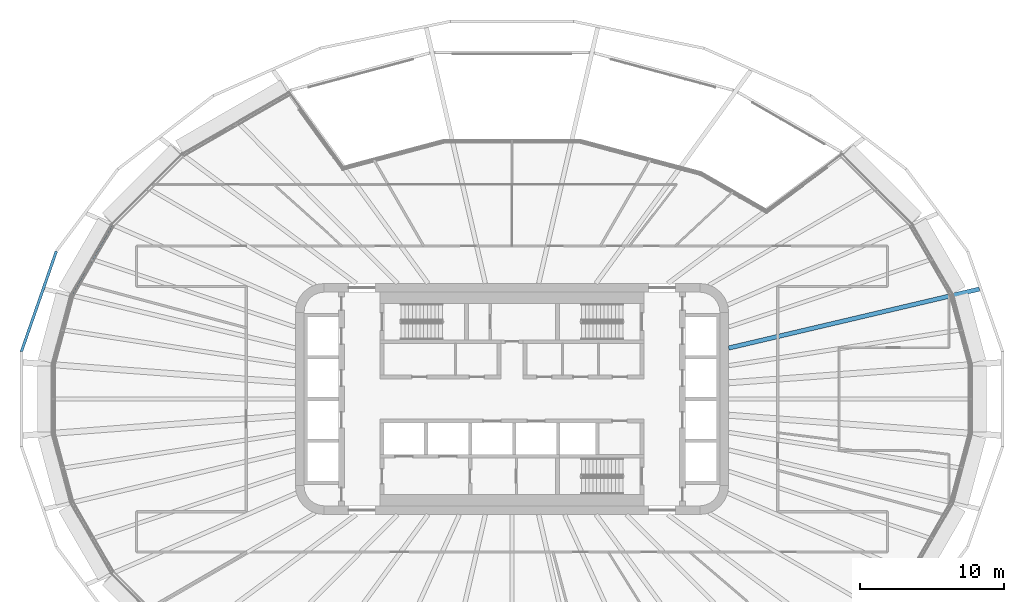
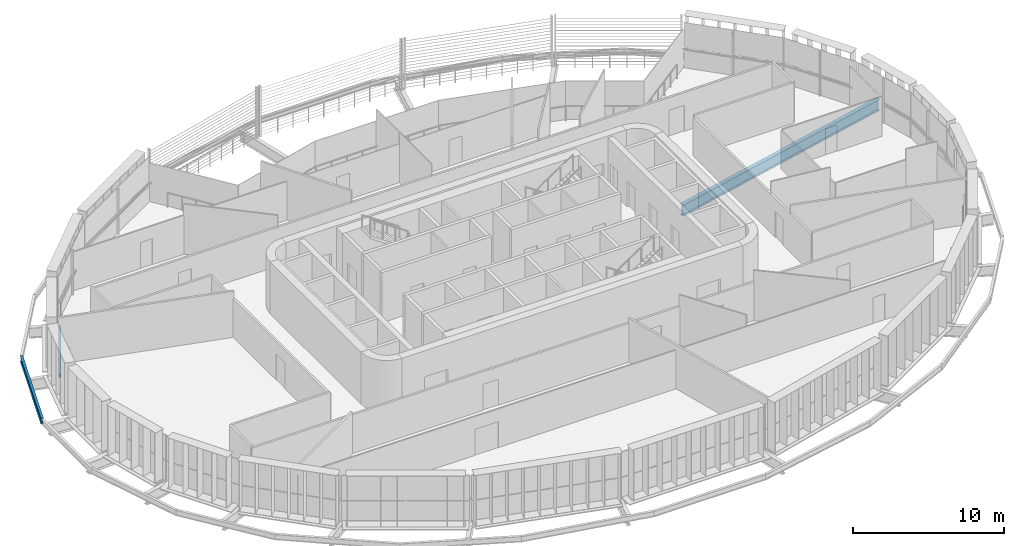
# One storey, part 6 of 24: 3 beams.
"""IFC4 building model written with IfcOpenShell, lengths in metres."""

from ifc_helpers import new_model, si_unit, direction, frame, origin, origin_2d, place, context, subcontext, project, spatial, i_section, extrude, material, material_profile, profile_set, type_object, element, save


model = new_model("IFC4")

# Units and contexts
model_context = context("Model", 3, precision=1e-05, world=origin(), true_north=direction((0.0, 1.0)))
body_context = subcontext(model_context, "Body", "Model", "MODEL_VIEW")
ifc_project = project(units=[si_unit("LENGTHUNIT", "METRE"), si_unit("AREAUNIT", "SQUARE_METRE"), si_unit("VOLUMEUNIT", "CUBIC_METRE"), si_unit("PLANEANGLEUNIT", "RADIAN"), si_unit("MASSUNIT", "GRAM", prefix="KILO")], contexts=[model_context])

# Site, building, storey
site_placement = place(None, origin())
site = spatial("IfcSite", under=ifc_project, at=site_placement, CompositionType="ELEMENT")
building_placement = place(site_placement, origin())
building = spatial("IfcBuilding", under=site, at=building_placement, Name="Sahrelin Media Tower", CompositionType="ELEMENT")
storey_placement = place(building_placement, frame((0.0, 0.0, 123.0)))
storey = spatial("IfcBuildingStorey", under=building, at=storey_placement, Name="L24", CompositionType="ELEMENT", Elevation=123.0)

# Beams
ifc_material = material(Name="Steel S355", Category="steel")
ifc_material_profile_1 = material_profile(ifc_material, i_section(OverallWidth=0.1650390625, OverallDepth=0.303466796875, WebThickness=0.006103515625, FlangeThickness=0.01025390625, FilletRadius=0.0087890625, at=origin_2d()), Name="UB 305x165x40")
ifc_profile_set_1 = profile_set([ifc_material_profile_1], Name="Steel S355")
beam_type_1 = type_object("IfcBeamType", Name="Edge beam EB2", PredefinedType="BEAM", material=ifc_profile_set_1)
beam_1_placement = place(storey_placement, frame((-30.407470703125, 7.140869140625, -0.3017578125), z_axis=(0.500020903074, 0.866013335053, 0.0), x_axis=(-0.866013335053, 0.500020903074, 0.0)))
element("IfcBeam", 1, at=beam_1_placement, inside=storey, type_object=beam_type_1, Name="Edge beam L24-15", PredefinedType="BEAM", context=body_context, shape_type="SweptSolid", body=[
    extrude(i_section(OverallWidth=0.1650390625, OverallDepth=0.303466796875, WebThickness=0.006103515625, FlangeThickness=0.01025390625, FilletRadius=0.0087890625, at=origin_2d()), origin(), (0.0, 0.0, 1.0), 5.593994140625),
])
ifc_material_profile_2 = material_profile(ifc_material, i_section(OverallWidth=0.30322265625, OverallDepth=0.903076171875, WebThickness=0.01513671875, FlangeThickness=0.020263671875, FilletRadius=0.01904296875, at=origin_2d()), Name="UB 914x305x201")
ifc_profile_set_2 = profile_set([ifc_material_profile_2], Name="Steel S355")
beam_type_2 = type_object("IfcBeamType", Name="Radial primary beam PB11", PredefinedType="BEAM", material=ifc_profile_set_2)
beam_2_placement = place(storey_placement, frame((15.0, 3.52783203125, -0.6015625), z_axis=(0.973438894473, 0.22894697798, 0.0), x_axis=(-0.22894697798, 0.973438894473, 0.0)))
element("IfcBeam", 2, at=beam_2_placement, inside=storey, type_object=beam_type_2, Name="Radial beam L24-02", PredefinedType="BEAM", context=body_context, shape_type="SweptSolid", body=[
    extrude(i_section(OverallWidth=0.30322265625, OverallDepth=0.903076171875, WebThickness=0.01513671875, FlangeThickness=0.020263671875, FilletRadius=0.01904296875, at=origin_2d()), origin(), (0.0, 0.0, 1.0), 17.82861328125),
])
ifc_material_profile_3 = material_profile(ifc_material, i_section(OverallWidth=0.1904296875, OverallDepth=0.45703125, WebThickness=0.009033203125, FlangeThickness=0.014404296875, FilletRadius=0.01025390625, at=origin_2d()), Name="UB 457x191x74")
ifc_profile_set_3 = profile_set([ifc_material_profile_3], Name="Steel S355")
beam_type_3 = type_object("IfcBeamType", Name="Tie chord TC5", PredefinedType="BEAM", material=ifc_profile_set_3)
beam_3_placement = place(storey_placement, frame((-31.542236328125, 10.2333984375, -0.37841796875), z_axis=(-0.328777707888, -0.944407337326, 0.0), x_axis=(0.944407337326, -0.328777707888, 0.0)))
element("IfcBeam", 3, at=beam_3_placement, inside=storey, type_object=beam_type_3, Name="Tie chord L24-11", PredefinedType="BEAM", context=body_context, shape_type="SweptSolid", body=[
    extrude(i_section(OverallWidth=0.1904296875, OverallDepth=0.45703125, WebThickness=0.009033203125, FlangeThickness=0.014404296875, FilletRadius=0.01025390625, at=origin_2d()), origin(), (0.0, 0.0, 1.0), 7.3662109375),
])

save(model, "model.ifc")
